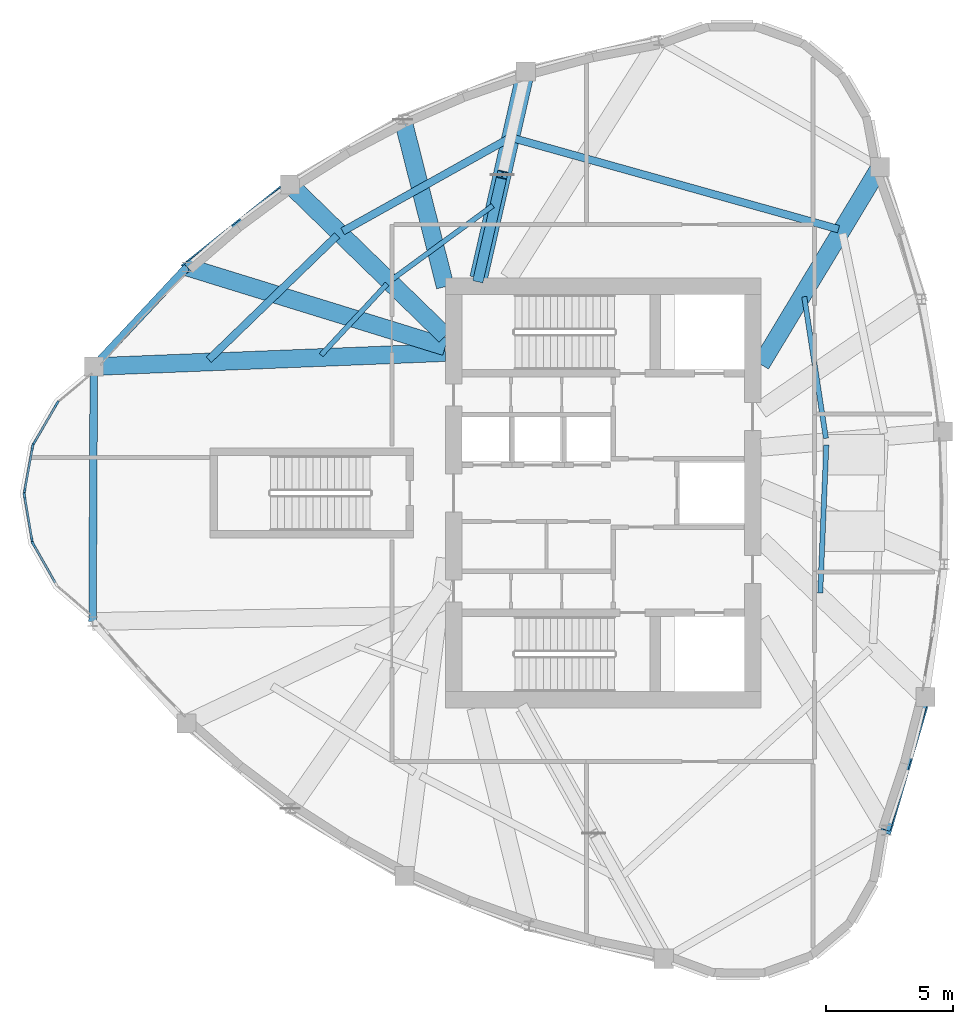
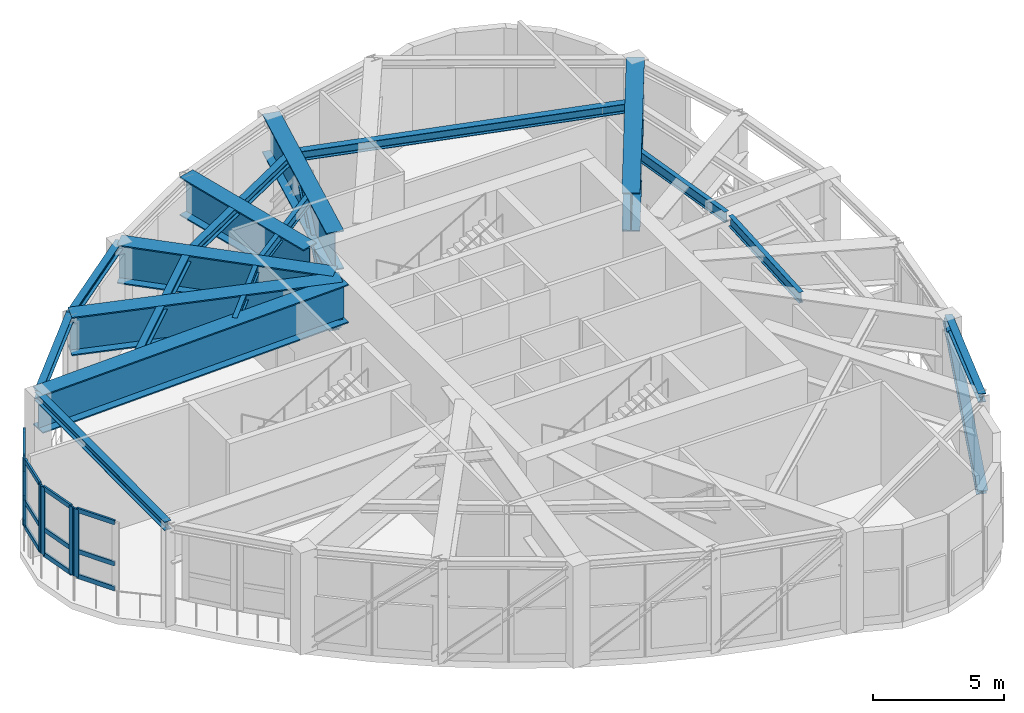
# One storey, part 2 of 10: 22 members, 17 beams, 4 elements without a shape of their own.
"""IFC4 building model written with IfcOpenShell, lengths in metres."""

from ifc_helpers import new_model, si_unit, direction, frame, origin, origin_2d, place, context, subcontext, project, spatial, rectangle, i_section, extrude, source, transform, mapped, material, layer, layer_set, material_profile, profile_set, type_object, element, aggregate, save


model = new_model("IFC4")

# Units and contexts
model_context = context("Model", 3, precision=1e-05, world=origin(), true_north=direction((0.0, 1.0)))
body_context = subcontext(model_context, "Body", "Model", "MODEL_VIEW")
ifc_project = project(units=[si_unit("LENGTHUNIT", "METRE"), si_unit("AREAUNIT", "SQUARE_METRE"), si_unit("VOLUMEUNIT", "CUBIC_METRE"), si_unit("PLANEANGLEUNIT", "RADIAN"), si_unit("MASSUNIT", "GRAM", prefix="KILO")], contexts=[model_context])

# Site, building, storey
site_placement = place(None, origin())
site = spatial("IfcSite", under=ifc_project, at=site_placement, CompositionType="ELEMENT")
building_placement = place(site_placement, origin())
building = spatial("IfcBuilding", under=site, at=building_placement, Name="Qafzar Sky-Pleat Residences", CompositionType="ELEMENT")
storey_placement = place(building_placement, frame((0.0, 0.0, 190.60009765625)))
storey = spatial("IfcBuildingStorey", under=building, at=storey_placement, Name="L57", CompositionType="ELEMENT", Elevation=190.60009765625)

# Beams
ifc_material_1 = material(Name="Steel S355", Category="steel")
ifc_material_profile_1 = material_profile(ifc_material_1, i_section(OverallWidth=0.300048828125, OverallDepth=0.39990234375, WebThickness=0.013427734375, FlangeThickness=0.02392578125, FilletRadius=0.027099609375, at=origin_2d()), Name="HEB 400")
ifc_profile_set_1 = profile_set([ifc_material_profile_1], Name="Steel S355")
beam_type_1 = type_object("IfcBeamType", Name="BM-SPAN-HEB400", PredefinedType="SPANDREL", material=ifc_profile_set_1)
shared_shape_1 = source(origin(), body_context, "Body", "SweptSolid", [
    extrude(i_section(OverallWidth=0.300048828125, OverallDepth=0.39990234375, WebThickness=0.013427734375, FlangeThickness=0.02392578125, FilletRadius=0.027099609375, at=origin_2d()), origin(), (0.0, 0.0, 1.0), 10.017333984375),
])
beam_1_placement = place(storey_placement, frame((10.338134765625, 30.967041015625, 4.557861328125), z_axis=(-0.004874305381, -0.999988120503, 0.0), x_axis=(0.999988120503, -0.004874305381, 0.0)))
element("IfcBeam", 1, at=beam_1_placement, inside=storey, type_object=beam_type_1, Name="L57 Perimeter Spandrel Beam 1", PredefinedType="SPANDREL", context=body_context, shape_type="MappedRepresentation", body=[
    mapped(shared_shape_1, transform((0.0, 0.0, 0.0), x_axis=(1.0, 0.0, 0.0), y_axis=(0.0, 1.0, 0.0), z_axis=(0.0, 0.0, 1.0), scale=1.0)),
])
shared_shape_2 = source(origin(), body_context, "Body", "SweptSolid", [
    extrude(i_section(OverallWidth=0.300048828125, OverallDepth=0.39990234375, WebThickness=0.013427734375, FlangeThickness=0.02392578125, FilletRadius=0.027099609375, at=origin_2d()), origin(), (0.0, 0.0, 1.0), 5.448486328125),
])
beam_2_placement = place(storey_placement, frame((41.482666015625, 12.749267578125, 4.557861328125), z_axis=(0.281537931885, 0.959550099218, 0.0), x_axis=(-0.959550099218, 0.281537931885, 0.0)))
element("IfcBeam", 2, at=beam_2_placement, inside=storey, type_object=beam_type_1, Name="L57 Perimeter Spandrel Beam 8", PredefinedType="SPANDREL", context=body_context, shape_type="MappedRepresentation", body=[
    mapped(shared_shape_2, transform((0.0, 0.0, 0.0), x_axis=(1.0, 0.0, 0.0), y_axis=(0.0, 1.0, 0.0), z_axis=(0.0, 0.0, 1.0), scale=1.0)),
])
shared_shape_3 = source(origin(), body_context, "Body", "SweptSolid", [
    extrude(i_section(OverallWidth=0.300048828125, OverallDepth=0.39990234375, WebThickness=0.013427734375, FlangeThickness=0.02392578125, FilletRadius=0.027099609375, at=origin_2d()), origin(), (0.0, 0.0, 1.0), 5.183837890625),
])
beam_3_placement = place(storey_placement, frame((18.046142578125, 38.11572265625, 4.557861328125), z_axis=(-0.78105716206, -0.624459533994, 0.0), x_axis=(0.624459533994, -0.78105716206, 0.0)))
element("IfcBeam", 3, at=beam_3_placement, inside=storey, type_object=beam_type_1, Name="L57 Perimeter Spandrel Beam 17", PredefinedType="SPANDREL", context=body_context, shape_type="MappedRepresentation", body=[
    mapped(shared_shape_3, transform((0.0, 0.0, 0.0), x_axis=(1.0, 0.0, 0.0), y_axis=(0.0, 1.0, 0.0), z_axis=(0.0, 0.0, 1.0), scale=1.0)),
])
shared_shape_4 = source(origin(), body_context, "Body", "SweptSolid", [
    extrude(i_section(OverallWidth=0.300048828125, OverallDepth=0.39990234375, WebThickness=0.013427734375, FlangeThickness=0.02392578125, FilletRadius=0.027099609375, at=origin_2d()), origin(), (0.0, 0.0, 1.0), 5.3564453125),
])
beam_4_placement = place(storey_placement, frame((13.997314453125, 34.878662109375, 4.557861328125), z_axis=(-0.683149287603, -0.730278748731, 0.0), x_axis=(0.730278748731, -0.683149287603, 0.0)))
element("IfcBeam", 4, at=beam_4_placement, inside=storey, type_object=beam_type_1, Name="L57 Perimeter Spandrel Beam 18", PredefinedType="SPANDREL", context=body_context, shape_type="MappedRepresentation", body=[
    mapped(shared_shape_4, transform((0.0, 0.0, 0.0), x_axis=(1.0, 0.0, 0.0), y_axis=(0.0, 1.0, 0.0), z_axis=(0.0, 0.0, 1.0), scale=1.0)),
])
ifc_material_2 = material(Name="Steel S460", Category="steel")
ifc_material_profile_2 = material_profile(ifc_material_2, i_section(OverallWidth=0.699951171875, OverallDepth=1.800048828125, WebThickness=0.035888671875, FlangeThickness=0.054931640625, at=origin_2d()), Name="PG 1800x700x55")
ifc_profile_set_2 = profile_set([ifc_material_profile_2], Name="Steel S460")
beam_type_2 = type_object("IfcBeamType", Name="BM-XFER-PG1800", PredefinedType="BEAM", material=ifc_profile_set_2)
shared_shape_5 = source(origin(), body_context, "Body", "SweptSolid", [
    extrude(i_section(OverallWidth=0.699951171875, OverallDepth=1.800048828125, WebThickness=0.035888671875, FlangeThickness=0.054931640625, at=origin_2d()), origin(), (0.0, 0.0, 1.0), 13.82275390625),
])
beam_5_placement = place(storey_placement, frame((10.338134765625, 30.967041015625, 3.85791015625), z_axis=(0.999206535424, 0.039828376388, 0.0), x_axis=(-0.039828376388, 0.999206535424, 0.0)))
element("IfcBeam", 5, at=beam_5_placement, inside=storey, type_object=beam_type_2, Name="L58 Setback Transfer Girder 1", PredefinedType="BEAM", context=body_context, shape_type="MappedRepresentation", body=[
    mapped(shared_shape_5, transform((0.0, 0.0, 0.0), x_axis=(1.0, 0.0, 0.0), y_axis=(0.0, 1.0, 0.0), z_axis=(0.0, 0.0, 1.0), scale=1.0)),
])
shared_shape_6 = source(origin(), body_context, "Body", "SweptSolid", [
    extrude(i_section(OverallWidth=0.699951171875, OverallDepth=1.800048828125, WebThickness=0.035888671875, FlangeThickness=0.054931640625, at=origin_2d()), origin(), (0.0, 0.0, 1.0), 9.062255859375),
])
beam_6_placement = place(storey_placement, frame((41.22900390625, 38.8125, 3.85791015625), z_axis=(-0.516309105864, -0.856402304529, 0.0), x_axis=(0.856402304529, -0.516309105864, 0.0)))
element("IfcBeam", 6, at=beam_6_placement, inside=storey, type_object=beam_type_2, Name="L58 Setback Transfer Girder 13", PredefinedType="BEAM", context=body_context, shape_type="MappedRepresentation", body=[
    mapped(shared_shape_6, transform((0.0, 0.0, 0.0), x_axis=(1.0, 0.0, 0.0), y_axis=(0.0, 1.0, 0.0), z_axis=(0.0, 0.0, 1.0), scale=1.0)),
])
shared_shape_7 = source(origin(), body_context, "Body", "SweptSolid", [
    extrude(i_section(OverallWidth=0.699951171875, OverallDepth=1.800048828125, WebThickness=0.035888671875, FlangeThickness=0.054931640625, at=origin_2d()), origin(), (0.0, 0.0, 1.0), 8.324462890625),
])
beam_7_placement = place(storey_placement, frame((27.312255859375, 42.56591796875, 3.85791015625), z_axis=(-0.222395551027, -0.974956521535, 0.0), x_axis=(0.974956521535, -0.222395551027, 0.0)))
element("IfcBeam", 7, at=beam_7_placement, inside=storey, type_object=beam_type_2, Name="L58 Setback Transfer Girder 15", PredefinedType="BEAM", context=body_context, shape_type="MappedRepresentation", body=[
    mapped(shared_shape_7, transform((0.0, 0.0, 0.0), x_axis=(1.0, 0.0, 0.0), y_axis=(0.0, 1.0, 0.0), z_axis=(0.0, 0.0, 1.0), scale=1.0)),
])
shared_shape_8 = source(origin(), body_context, "Body", "SweptSolid", [
    extrude(i_section(OverallWidth=0.699951171875, OverallDepth=1.800048828125, WebThickness=0.035888671875, FlangeThickness=0.054931640625, at=origin_2d()), origin(), (0.0, 0.0, 1.0), 6.779541015625),
])
beam_8_placement = place(storey_placement, frame((22.484375, 40.677978515625, 3.85791015625), z_axis=(0.245669464822, -0.969353657884, 0.0), x_axis=(0.969353657884, 0.245669464822, 0.0)))
element("IfcBeam", 8, at=beam_8_placement, inside=storey, type_object=beam_type_2, Name="L58 Setback Transfer Girder 16", PredefinedType="BEAM", context=body_context, shape_type="MappedRepresentation", body=[
    mapped(shared_shape_8, transform((0.0, 0.0, 0.0), x_axis=(1.0, 0.0, 0.0), y_axis=(0.0, 1.0, 0.0), z_axis=(0.0, 0.0, 1.0), scale=1.0)),
])
shared_shape_9 = source(origin(), body_context, "Body", "SweptSolid", [
    extrude(i_section(OverallWidth=0.699951171875, OverallDepth=1.800048828125, WebThickness=0.035888671875, FlangeThickness=0.054931640625, at=origin_2d()), origin(), (0.0, 0.0, 1.0), 8.517578125),
])
beam_9_placement = place(storey_placement, frame((18.046142578125, 38.11572265625, 3.85791015625), z_axis=(0.716615570241, -0.697468368092, 0.0), x_axis=(0.697468368092, 0.716615570241, 0.0)))
element("IfcBeam", 9, at=beam_9_placement, inside=storey, type_object=beam_type_2, Name="L58 Setback Transfer Girder 17", PredefinedType="BEAM", context=body_context, shape_type="MappedRepresentation", body=[
    mapped(shared_shape_9, transform((0.0, 0.0, 0.0), x_axis=(1.0, 0.0, 0.0), y_axis=(0.0, 1.0, 0.0), z_axis=(0.0, 0.0, 1.0), scale=1.0)),
])
shared_shape_10 = source(origin(), body_context, "Body", "SweptSolid", [
    extrude(i_section(OverallWidth=0.699951171875, OverallDepth=1.800048828125, WebThickness=0.035888671875, FlangeThickness=0.054931640625, at=origin_2d()), origin(), (0.0, 0.0, 1.0), 10.62548828125),
])
beam_10_placement = place(storey_placement, frame((13.997314453125, 34.878662109375, 3.85791015625), z_axis=(0.95549040841, -0.295022167704, 0.0), x_axis=(0.295022167704, 0.95549040841, 0.0)))
element("IfcBeam", 10, at=beam_10_placement, inside=storey, type_object=beam_type_2, Name="L58 Setback Transfer Girder 18", PredefinedType="BEAM", context=body_context, shape_type="MappedRepresentation", body=[
    mapped(shared_shape_10, transform((0.0, 0.0, 0.0), x_axis=(1.0, 0.0, 0.0), y_axis=(0.0, 1.0, 0.0), z_axis=(0.0, 0.0, 1.0), scale=1.0)),
])
ifc_material_profile_3 = material_profile(ifc_material_1, i_section(OverallWidth=0.300048828125, OverallDepth=0.43994140625, WebThickness=0.011474609375, FlangeThickness=0.02099609375, FilletRadius=0.027099609375, at=origin_2d()), Name="HEA 450")
ifc_profile_set_3 = profile_set([ifc_material_profile_3], Name="Steel S355")
beam_type_3 = type_object("IfcBeamType", Name="BM-PLT-HEA450", PredefinedType="BEAM", material=ifc_profile_set_3)
shared_shape_11 = source(origin(), body_context, "Body", "SweptSolid", [
    extrude(i_section(OverallWidth=0.300048828125, OverallDepth=0.43994140625, WebThickness=0.011474609375, FlangeThickness=0.02099609375, FilletRadius=0.027099609375, at=origin_2d()), origin(), (0.0, 0.0, 1.0), 13.241455078125),
])
beam_11_placement = place(storey_placement, frame((39.601806640625, 36.365478515625, 4.537841796875), z_axis=(-0.963035602632, 0.269374141416, 0.0), x_axis=(-0.269374141416, -0.963035602632, 0.0)))
element("IfcBeam", 11, at=beam_11_placement, inside=storey, type_object=beam_type_3, Name="L57 Outer Secondary Floor Joist 7", PredefinedType="BEAM", context=body_context, shape_type="MappedRepresentation", body=[
    mapped(shared_shape_11, transform((0.0, 0.0, 0.0), x_axis=(1.0, 0.0, 0.0), y_axis=(0.0, 1.0, 0.0), z_axis=(0.0, 0.0, 1.0), scale=1.0)),
])
shared_shape_12 = source(origin(), body_context, "Body", "SweptSolid", [
    extrude(i_section(OverallWidth=0.300048828125, OverallDepth=0.43994140625, WebThickness=0.011474609375, FlangeThickness=0.02099609375, FilletRadius=0.027099609375, at=origin_2d()), origin(), (0.0, 0.0, 1.0), 7.427978515625),
])
beam_12_placement = place(storey_placement, frame((26.60205078125, 39.903076171875, 4.537841796875), z_axis=(-0.873020038873, -0.487684336149, 0.0), x_axis=(0.487684336149, -0.873020038873, 0.0)))
element("IfcBeam", 12, at=beam_12_placement, inside=storey, type_object=beam_type_3, Name="L57 Outer Secondary Floor Joist 8", PredefinedType="BEAM", context=body_context, shape_type="MappedRepresentation", body=[
    mapped(shared_shape_12, transform((0.0, 0.0, 0.0), x_axis=(1.0, 0.0, 0.0), y_axis=(0.0, 1.0, 0.0), z_axis=(0.0, 0.0, 1.0), scale=1.0)),
])
shared_shape_13 = source(origin(), body_context, "Body", "SweptSolid", [
    extrude(i_section(OverallWidth=0.300048828125, OverallDepth=0.43994140625, WebThickness=0.011474609375, FlangeThickness=0.02099609375, FilletRadius=0.027099609375, at=origin_2d()), origin(), (0.0, 0.0, 1.0), 7.0234375),
])
beam_13_placement = place(storey_placement, frame((19.90234375, 36.120849609375, 4.537841796875), z_axis=(-0.718655934704, -0.695365837178, 0.0), x_axis=(0.695365837178, -0.718655934704, 0.0)))
element("IfcBeam", 13, at=beam_13_placement, inside=storey, type_object=beam_type_3, Name="L57 Outer Secondary Floor Joist 9", PredefinedType="BEAM", context=body_context, shape_type="MappedRepresentation", body=[
    mapped(shared_shape_13, transform((0.0, 0.0, 0.0), x_axis=(1.0, 0.0, 0.0), y_axis=(0.0, 1.0, 0.0), z_axis=(0.0, 0.0, 1.0), scale=1.0)),
])
ifc_material_profile_4 = material_profile(ifc_material_1, i_section(OverallWidth=0.199951171875, OverallDepth=0.5, WebThickness=0.01025390625, FlangeThickness=0.01611328125, FilletRadius=0.02099609375, at=origin_2d()), Name="IPE 500")
ifc_profile_set_4 = profile_set([ifc_material_profile_4], Name="Steel S355")
beam_type_4 = type_object("IfcBeamType", Name="BM-SEC-IPE500", PredefinedType="BEAM", material=ifc_profile_set_4)
shared_shape_14 = source(origin(), body_context, "Body", "SweptSolid", [
    extrude(i_section(OverallWidth=0.199951171875, OverallDepth=0.5, WebThickness=0.01025390625, FlangeThickness=0.01611328125, FilletRadius=0.02099609375, at=origin_2d()), origin(), (0.0, 0.0, 1.0), 5.814208984375),
])
beam_14_placement = place(storey_placement, frame((38.883544921875, 22.07080078125, 4.5078125), z_axis=(0.040856800042, 0.999165012343, 0.0), x_axis=(-0.999165012343, 0.040856800042, 0.0)))
element("IfcBeam", 14, at=beam_14_placement, inside=storey, type_object=beam_type_4, Name="L57 Inner Secondary Floor Joist 5", PredefinedType="BEAM", context=body_context, shape_type="MappedRepresentation", body=[
    mapped(shared_shape_14, transform((0.0, 0.0, 0.0), x_axis=(1.0, 0.0, 0.0), y_axis=(0.0, 1.0, 0.0), z_axis=(0.0, 0.0, 1.0), scale=1.0)),
])
shared_shape_15 = source(origin(), body_context, "Body", "SweptSolid", [
    extrude(i_section(OverallWidth=0.199951171875, OverallDepth=0.5, WebThickness=0.01025390625, FlangeThickness=0.01611328125, FilletRadius=0.02099609375, at=origin_2d()), origin(), (0.0, 0.0, 1.0), 5.62841796875),
])
beam_15_placement = place(storey_placement, frame((39.106201171875, 28.1484375, 4.5078125), z_axis=(-0.151252045515, 0.988495229492, 0.0), x_axis=(-0.988495229492, -0.151252045515, 0.0)))
element("IfcBeam", 15, at=beam_15_placement, inside=storey, type_object=beam_type_4, Name="L57 Inner Secondary Floor Joist 6", PredefinedType="BEAM", context=body_context, shape_type="MappedRepresentation", body=[
    mapped(shared_shape_15, transform((0.0, 0.0, 0.0), x_axis=(1.0, 0.0, 0.0), y_axis=(0.0, 1.0, 0.0), z_axis=(0.0, 0.0, 1.0), scale=1.0)),
])
shared_shape_16 = source(origin(), body_context, "Body", "SweptSolid", [
    extrude(i_section(OverallWidth=0.199951171875, OverallDepth=0.5, WebThickness=0.01025390625, FlangeThickness=0.01611328125, FilletRadius=0.02099609375, at=origin_2d()), origin(), (0.0, 0.0, 1.0), 4.905029296875),
])
beam_16_placement = place(storey_placement, frame((26.0185546875, 37.2919921875, 4.5078125), z_axis=(-0.8067340111, -0.590914744557, 0.0), x_axis=(0.590914744557, -0.8067340111, 0.0)))
element("IfcBeam", 16, at=beam_16_placement, inside=storey, type_object=beam_type_4, Name="L57 Inner Secondary Floor Joist 8", PredefinedType="BEAM", context=body_context, shape_type="MappedRepresentation", body=[
    mapped(shared_shape_16, transform((0.0, 0.0, 0.0), x_axis=(1.0, 0.0, 0.0), y_axis=(0.0, 1.0, 0.0), z_axis=(0.0, 0.0, 1.0), scale=1.0)),
])
shared_shape_17 = source(origin(), body_context, "Body", "SweptSolid", [
    extrude(i_section(OverallWidth=0.199951171875, OverallDepth=0.5, WebThickness=0.01025390625, FlangeThickness=0.01611328125, FilletRadius=0.02099609375, at=origin_2d()), origin(), (0.0, 0.0, 1.0), 3.812255859375),
])
beam_17_placement = place(storey_placement, frame((21.86083984375, 34.214599609375, 4.5078125), z_axis=(-0.679731055735, -0.733461445387, 0.0), x_axis=(0.733461445387, -0.679731055735, 0.0)))
element("IfcBeam", 17, at=beam_17_placement, inside=storey, type_object=beam_type_4, Name="L57 Inner Secondary Floor Joist 9", PredefinedType="BEAM", context=body_context, shape_type="MappedRepresentation", body=[
    mapped(shared_shape_17, transform((0.0, 0.0, 0.0), x_axis=(1.0, 0.0, 0.0), y_axis=(0.0, 1.0, 0.0), z_axis=(0.0, 0.0, 1.0), scale=1.0)),
])

# Members
ifc_material_profile_5 = material_profile(ifc_material_2, i_section(OverallWidth=0.406005859375, OverallDepth=0.416015625, WebThickness=0.027099609375, FlangeThickness=0.0439453125, FilletRadius=0.014892578125, at=origin_2d()), Name="HD 400x382")
ifc_profile_set_5 = profile_set([ifc_material_profile_5], Name="Steel S460")
member_type_1 = type_object("IfcMemberType", Name="MEM-BELT-HD382", PredefinedType="BRACE", material=ifc_profile_set_5)
shared_shape_18 = source(origin(), body_context, "Body", "SweptSolid", [
    extrude(i_section(OverallWidth=0.406005859375, OverallDepth=0.416015625, WebThickness=0.027099609375, FlangeThickness=0.0439453125, FilletRadius=0.014892578125, at=origin_2d()), origin(), (0.0, 0.0, 1.0), 7.009521484375),
])
member_1_placement = place(storey_placement, frame((41.482666015625, 12.749267578125, 0.14990234375), z_axis=(0.218837853443, 0.74585290365, 0.629137059803), x_axis=(-0.959550099218, 0.281537931885, 0.0)))
element("IfcMember", 18, at=member_1_placement, inside=storey, type_object=member_type_1, Name="L57 Belt Truss Diagonal 8", PredefinedType="BRACE", context=body_context, shape_type="MappedRepresentation", body=[
    mapped(shared_shape_18, transform((0.0, 0.0, 0.0), x_axis=(1.0, 0.0, 0.0), y_axis=(0.0, 1.0, 0.0), z_axis=(0.0, 0.0, 1.0), scale=1.0)),
])
shared_shape_19 = source(origin(), body_context, "Body", "SweptSolid", [
    extrude(i_section(OverallWidth=0.406005859375, OverallDepth=0.416015625, WebThickness=0.027099609375, FlangeThickness=0.0439453125, FilletRadius=0.014892578125, at=origin_2d()), origin(), (0.0, 0.0, 1.0), 6.805908203125),
])
member_2_placement = place(storey_placement, frame((18.046142578125, 38.11572265625, 0.14990234375), z_axis=(-0.594908598615, -0.475632724857, 0.64796394216), x_axis=(0.624459533994, -0.78105716206, 0.0)))
element("IfcMember", 19, at=member_2_placement, inside=storey, type_object=member_type_1, Name="L57 Belt Truss Diagonal 17", PredefinedType="BRACE", context=body_context, shape_type="MappedRepresentation", body=[
    mapped(shared_shape_19, transform((0.0, 0.0, 0.0), x_axis=(1.0, 0.0, 0.0), y_axis=(0.0, 1.0, 0.0), z_axis=(0.0, 0.0, 1.0), scale=1.0)),
])
ifc_material_profile_6 = material_profile(ifc_material_2, i_section(OverallWidth=0.408935546875, OverallDepth=0.425048828125, WebThickness=0.030029296875, FlangeThickness=0.048095703125, FilletRadius=0.014892578125, at=origin_2d()), Name="HD 400x421")
ifc_profile_set_6 = profile_set([ifc_material_profile_6], Name="Steel S460")
member_type_2 = type_object("IfcMemberType", Name="MEM-OUT-HD421", PredefinedType="BRACE", material=ifc_profile_set_6)
shared_shape_20 = source(origin(), body_context, "Body", "SweptSolid", [
    extrude(i_section(OverallWidth=0.408935546875, OverallDepth=0.425048828125, WebThickness=0.030029296875, FlangeThickness=0.048095703125, FilletRadius=0.014892578125, at=origin_2d()), origin(), (0.0, 0.0, 1.0), 5.99169921875),
])
member_3_placement = place(storey_placement, frame((25.4609375, 34.449951171875, 0.199951171875), z_axis=(0.154507543734, 0.677274364965, 0.719323886361), x_axis=(-0.974951612924, 0.222417068717, 0.0)))
element("IfcMember", 20, at=member_3_placement, inside=storey, type_object=member_type_2, Name="L57 Outrigger Truss Diagonal 8A", PredefinedType="BRACE", context=body_context, shape_type="MappedRepresentation", body=[
    mapped(shared_shape_20, transform((0.0, 0.0, 0.0), x_axis=(1.0, 0.0, 0.0), y_axis=(0.0, 1.0, 0.0), z_axis=(0.0, 0.0, 1.0), scale=1.0)),
])

# Curtain wall, members
ifc_material_3 = material(Name="Anodised bronze aluminium framing", Category="aluminium")
ifc_layer = layer(ifc_material_3, 0.280029296875)
ifc_layer_set = layer_set([ifc_layer], Name="Anodised bronze aluminium framing")
curtain_wall_type = type_object("IfcCurtainWallType", Name="CW-SYS-05", PredefinedType="NOTDEFINED", material=ifc_layer_set)
curtain_wall_1_placement = place(storey_placement, origin())
curtain_wall_1 = element("IfcCurtainWall", 21, at=curtain_wall_1_placement, inside=storey, type_object=curtain_wall_type, Name="L57 CW-05 Curtain Wall CW-L57-SLOT-01", PredefinedType="NOTDEFINED")
ifc_material_4 = material(Name="Anodised bronze aluminium", Category="aluminium")
ifc_material_profile_7 = material_profile(ifc_material_4, rectangle(XDim=0.0849609375, YDim=0.280029296875, at=origin_2d()), Name="ALU MULLION 85x280")
ifc_profile_set_7 = profile_set([ifc_material_profile_7], Name="Anodised bronze aluminium")
member_type_3 = type_object("IfcMemberType", Name="CWM-05", PredefinedType="MULLION", material=ifc_profile_set_7)
shared_shape_21 = source(origin(), body_context, "Body", "SweptSolid", [
    extrude(rectangle(XDim=0.0849609375, YDim=0.280029296875, at=origin_2d()), origin(), (0.0, 0.0, 1.0), 3.159912109375),
])
member_4_placement = place(storey_placement, frame((8.8779296875, 29.4931640625, 1.179931640625), z_axis=(0.0, 0.0, 1.0), x_axis=(0.864807167191, -0.502104136186, 0.0)))
member_4 = element("IfcMember", 22, at=member_4_placement, type_object=member_type_3, Name="CW-05 mullion 1", PredefinedType="MULLION", context=body_context, shape_type="MappedRepresentation", body=[
    mapped(shared_shape_21, transform((0.0, 0.0, 0.0), x_axis=(1.0, 0.0, 0.0), y_axis=(0.0, 1.0, 0.0), z_axis=(0.0, 0.0, 1.0), scale=1.0)),
])
member_5_placement = place(storey_placement, frame((7.994140625, 27.970947265625, 1.179931640625), z_axis=(0.0, 0.0, 1.0), x_axis=(0.864807167191, -0.502104136186, 0.0)))
member_5 = element("IfcMember", 23, at=member_5_placement, type_object=member_type_3, Name="CW-05 mullion 2", PredefinedType="MULLION", context=body_context, shape_type="MappedRepresentation", body=[
    mapped(shared_shape_21, transform((0.0, 0.0, 0.0), x_axis=(1.0, 0.0, 0.0), y_axis=(0.0, 1.0, 0.0), z_axis=(0.0, 0.0, 1.0), scale=1.0)),
])

curtain_wall_2_placement = place(storey_placement, origin())
curtain_wall_2 = element("IfcCurtainWall", 24, at=curtain_wall_2_placement, inside=storey, type_object=curtain_wall_type, Name="L57 CW-05 Curtain Wall CW-L57-SLOT-02", PredefinedType="NOTDEFINED")
member_6_placement = place(storey_placement, frame((7.929931640625, 27.79638671875, 1.179931640625), z_axis=(0.0, 0.0, 1.0), x_axis=(0.984098916363, -0.177621290429, 0.0)))
member_6 = element("IfcMember", 25, at=member_6_placement, type_object=member_type_3, Name="CW-05 mullion 1", PredefinedType="MULLION", context=body_context, shape_type="MappedRepresentation", body=[
    mapped(shared_shape_21, transform((0.0, 0.0, 0.0), x_axis=(1.0, 0.0, 0.0), y_axis=(0.0, 1.0, 0.0), z_axis=(0.0, 0.0, 1.0), scale=1.0)),
])
member_7_placement = place(storey_placement, frame((7.617431640625, 26.064453125, 1.179931640625), z_axis=(0.0, 0.0, 1.0), x_axis=(0.984098916363, -0.177621290429, 0.0)))
member_7 = element("IfcMember", 26, at=member_7_placement, type_object=member_type_3, Name="CW-05 mullion 2", PredefinedType="MULLION", context=body_context, shape_type="MappedRepresentation", body=[
    mapped(shared_shape_21, transform((0.0, 0.0, 0.0), x_axis=(1.0, 0.0, 0.0), y_axis=(0.0, 1.0, 0.0), z_axis=(0.0, 0.0, 1.0), scale=1.0)),
])

curtain_wall_3_placement = place(storey_placement, origin())
curtain_wall_3 = element("IfcCurtainWall", 27, at=curtain_wall_3_placement, inside=storey, type_object=curtain_wall_type, Name="L57 CW-05 Curtain Wall CW-L57-SLOT-03", PredefinedType="NOTDEFINED")
member_8_placement = place(storey_placement, frame((7.616455078125, 25.87841796875, 1.179931640625), z_axis=(0.0, 0.0, 1.0), x_axis=(0.985774777917, 0.168071672873, 0.0)))
member_8 = element("IfcMember", 28, at=member_8_placement, type_object=member_type_3, Name="CW-05 mullion 1", PredefinedType="MULLION", context=body_context, shape_type="MappedRepresentation", body=[
    mapped(shared_shape_21, transform((0.0, 0.0, 0.0), x_axis=(1.0, 0.0, 0.0), y_axis=(0.0, 1.0, 0.0), z_axis=(0.0, 0.0, 1.0), scale=1.0)),
])
member_9_placement = place(storey_placement, frame((7.912353515625, 24.143310546875, 1.179931640625), z_axis=(0.0, 0.0, 1.0), x_axis=(0.985774777917, 0.168071672873, 0.0)))
member_9 = element("IfcMember", 29, at=member_9_placement, type_object=member_type_3, Name="CW-05 mullion 2", PredefinedType="MULLION", context=body_context, shape_type="MappedRepresentation", body=[
    mapped(shared_shape_21, transform((0.0, 0.0, 0.0), x_axis=(1.0, 0.0, 0.0), y_axis=(0.0, 1.0, 0.0), z_axis=(0.0, 0.0, 1.0), scale=1.0)),
])

# Curtain wall, member
curtain_wall_4_placement = place(storey_placement, origin())
curtain_wall_4 = element("IfcCurtainWall", 30, at=curtain_wall_4_placement, inside=storey, type_object=curtain_wall_type, Name="L57 CW-05 Curtain Wall CW-L57-SLOT-04", PredefinedType="NOTDEFINED")
member_10_placement = place(storey_placement, frame((7.974853515625, 23.96826171875, 1.179931640625), z_axis=(0.0, 0.0, 1.0), x_axis=(0.869630572407, 0.493703015522, 0.0)))
member_10 = element("IfcMember", 31, at=member_10_placement, type_object=member_type_3, Name="CW-05 mullion 1", PredefinedType="MULLION", context=body_context, shape_type="MappedRepresentation", body=[
    mapped(shared_shape_21, transform((0.0, 0.0, 0.0), x_axis=(1.0, 0.0, 0.0), y_axis=(0.0, 1.0, 0.0), z_axis=(0.0, 0.0, 1.0), scale=1.0)),
])

# Member
ifc_material_profile_8 = material_profile(ifc_material_4, rectangle(XDim=0.0849609375, YDim=0.2099609375, at=origin_2d()), Name="ALU TRANSOM 85x210")
ifc_profile_set_8 = profile_set([ifc_material_profile_8], Name="Anodised bronze aluminium")
member_type_4 = type_object("IfcMemberType", Name="CWT-05", PredefinedType="USERDEFINED", material=ifc_profile_set_8)
shared_shape_22 = source(origin(), body_context, "Body", "SweptSolid", [
    extrude(rectangle(XDim=0.0849609375, YDim=0.2099609375, at=origin_2d()), origin(), (0.0, 0.0, 1.0), 1.675048828125),
])
member_11_placement = place(storey_placement, frame((8.856689453125, 29.456298828125, 1.222412109375), z_axis=(-0.502139033742, -0.864786904846, 0.0), x_axis=(0.864786904846, -0.502139033742, 0.0)))
member_11 = element("IfcMember", 32, at=member_11_placement, type_object=member_type_4, Name="CW-05 transom 1.1", ObjectType="TRANSOM", PredefinedType="USERDEFINED", context=body_context, shape_type="MappedRepresentation", body=[
    mapped(shared_shape_22, transform((0.0, 0.0, 0.0), x_axis=(1.0, 0.0, 0.0), y_axis=(0.0, 1.0, 0.0), z_axis=(0.0, 0.0, 1.0), scale=1.0)),
])

member_12_placement = place(storey_placement, frame((8.856689453125, 29.456298828125, 2.380615234375), z_axis=(-0.502139033742, -0.864786904846, 0.0), x_axis=(0.864786904846, -0.502139033742, 0.0)))
member_12 = element("IfcMember", 33, at=member_12_placement, type_object=member_type_4, Name="CW-05 transom 1.2", ObjectType="TRANSOM", PredefinedType="USERDEFINED", context=body_context, shape_type="MappedRepresentation", body=[
    mapped(shared_shape_22, transform((0.0, 0.0, 0.0), x_axis=(1.0, 0.0, 0.0), y_axis=(0.0, 1.0, 0.0), z_axis=(0.0, 0.0, 1.0), scale=1.0)),
])

member_13_placement = place(storey_placement, frame((8.856689453125, 29.456298828125, 4.29736328125), z_axis=(-0.502139033742, -0.864786904846, 0.0), x_axis=(0.864786904846, -0.502139033742, 0.0)))
member_13 = element("IfcMember", 34, at=member_13_placement, type_object=member_type_4, Name="CW-05 transom 1.3", ObjectType="TRANSOM", PredefinedType="USERDEFINED", context=body_context, shape_type="MappedRepresentation", body=[
    mapped(shared_shape_22, transform((0.0, 0.0, 0.0), x_axis=(1.0, 0.0, 0.0), y_axis=(0.0, 1.0, 0.0), z_axis=(0.0, 0.0, 1.0), scale=1.0)),
])

aggregate(curtain_wall_1, [member_4, member_5, member_11, member_12, member_13])

member_14_placement = place(storey_placement, frame((7.922607421875, 27.754638671875, 1.222412109375), z_axis=(-0.177666847498, -0.984090692619, 0.0), x_axis=(0.984090692619, -0.177666847498, 0.0)))
member_14 = element("IfcMember", 35, at=member_14_placement, type_object=member_type_4, Name="CW-05 transom 1.1", ObjectType="TRANSOM", PredefinedType="USERDEFINED", context=body_context, shape_type="MappedRepresentation", body=[
    mapped(shared_shape_22, transform((0.0, 0.0, 0.0), x_axis=(1.0, 0.0, 0.0), y_axis=(0.0, 1.0, 0.0), z_axis=(0.0, 0.0, 1.0), scale=1.0)),
])

member_15_placement = place(storey_placement, frame((7.922607421875, 27.754638671875, 2.380615234375), z_axis=(-0.177666847498, -0.984090692619, 0.0), x_axis=(0.984090692619, -0.177666847498, 0.0)))
member_15 = element("IfcMember", 36, at=member_15_placement, type_object=member_type_4, Name="CW-05 transom 1.2", ObjectType="TRANSOM", PredefinedType="USERDEFINED", context=body_context, shape_type="MappedRepresentation", body=[
    mapped(shared_shape_22, transform((0.0, 0.0, 0.0), x_axis=(1.0, 0.0, 0.0), y_axis=(0.0, 1.0, 0.0), z_axis=(0.0, 0.0, 1.0), scale=1.0)),
])

member_16_placement = place(storey_placement, frame((7.922607421875, 27.754638671875, 4.29736328125), z_axis=(-0.177666847498, -0.984090692619, 0.0), x_axis=(0.984090692619, -0.177666847498, 0.0)))
member_16 = element("IfcMember", 37, at=member_16_placement, type_object=member_type_4, Name="CW-05 transom 1.3", ObjectType="TRANSOM", PredefinedType="USERDEFINED", context=body_context, shape_type="MappedRepresentation", body=[
    mapped(shared_shape_22, transform((0.0, 0.0, 0.0), x_axis=(1.0, 0.0, 0.0), y_axis=(0.0, 1.0, 0.0), z_axis=(0.0, 0.0, 1.0), scale=1.0)),
])

aggregate(curtain_wall_2, [member_6, member_7, member_14, member_15, member_16])

member_17_placement = place(storey_placement, frame((7.623779296875, 25.83642578125, 1.222412109375), z_axis=(0.16806155664, -0.985776502651, 0.0), x_axis=(0.985776502651, 0.16806155664, 0.0)))
member_17 = element("IfcMember", 38, at=member_17_placement, type_object=member_type_4, Name="CW-05 transom 1.1", ObjectType="TRANSOM", PredefinedType="USERDEFINED", context=body_context, shape_type="MappedRepresentation", body=[
    mapped(shared_shape_22, transform((0.0, 0.0, 0.0), x_axis=(1.0, 0.0, 0.0), y_axis=(0.0, 1.0, 0.0), z_axis=(0.0, 0.0, 1.0), scale=1.0)),
])

member_18_placement = place(storey_placement, frame((7.623779296875, 25.83642578125, 2.380615234375), z_axis=(0.16806155664, -0.985776502651, 0.0), x_axis=(0.985776502651, 0.16806155664, 0.0)))
member_18 = element("IfcMember", 39, at=member_18_placement, type_object=member_type_4, Name="CW-05 transom 1.2", ObjectType="TRANSOM", PredefinedType="USERDEFINED", context=body_context, shape_type="MappedRepresentation", body=[
    mapped(shared_shape_22, transform((0.0, 0.0, 0.0), x_axis=(1.0, 0.0, 0.0), y_axis=(0.0, 1.0, 0.0), z_axis=(0.0, 0.0, 1.0), scale=1.0)),
])

member_19_placement = place(storey_placement, frame((7.623779296875, 25.83642578125, 4.29736328125), z_axis=(0.16806155664, -0.985776502651, 0.0), x_axis=(0.985776502651, 0.16806155664, 0.0)))
member_19 = element("IfcMember", 40, at=member_19_placement, type_object=member_type_4, Name="CW-05 transom 1.3", ObjectType="TRANSOM", PredefinedType="USERDEFINED", context=body_context, shape_type="MappedRepresentation", body=[
    mapped(shared_shape_22, transform((0.0, 0.0, 0.0), x_axis=(1.0, 0.0, 0.0), y_axis=(0.0, 1.0, 0.0), z_axis=(0.0, 0.0, 1.0), scale=1.0)),
])

aggregate(curtain_wall_3, [member_8, member_9, member_17, member_18, member_19])

shared_shape_23 = source(origin(), body_context, "Body", "SweptSolid", [
    extrude(rectangle(XDim=0.0849609375, YDim=0.2099609375, at=origin_2d()), origin(), (0.0, 0.0, 1.0), 1.6748046875),
])
member_20_placement = place(storey_placement, frame((7.995849609375, 23.93115234375, 1.222412109375), z_axis=(0.493703846839, -0.869630100455, 0.0), x_axis=(0.869630100455, 0.493703846839, 0.0)))
member_20 = element("IfcMember", 41, at=member_20_placement, type_object=member_type_4, Name="CW-05 transom 1.1", ObjectType="TRANSOM", PredefinedType="USERDEFINED", context=body_context, shape_type="MappedRepresentation", body=[
    mapped(shared_shape_23, transform((0.0, 0.0, 0.0), x_axis=(1.0, 0.0, 0.0), y_axis=(0.0, 1.0, 0.0), z_axis=(0.0, 0.0, 1.0), scale=1.0)),
])

member_21_placement = place(storey_placement, frame((7.995849609375, 23.93115234375, 2.380615234375), z_axis=(0.493703846839, -0.869630100455, 0.0), x_axis=(0.869630100455, 0.493703846839, 0.0)))
member_21 = element("IfcMember", 42, at=member_21_placement, type_object=member_type_4, Name="CW-05 transom 1.2", ObjectType="TRANSOM", PredefinedType="USERDEFINED", context=body_context, shape_type="MappedRepresentation", body=[
    mapped(shared_shape_23, transform((0.0, 0.0, 0.0), x_axis=(1.0, 0.0, 0.0), y_axis=(0.0, 1.0, 0.0), z_axis=(0.0, 0.0, 1.0), scale=1.0)),
])

member_22_placement = place(storey_placement, frame((7.995849609375, 23.93115234375, 4.29736328125), z_axis=(0.493703846839, -0.869630100455, 0.0), x_axis=(0.869630100455, 0.493703846839, 0.0)))
member_22 = element("IfcMember", 43, at=member_22_placement, type_object=member_type_4, Name="CW-05 transom 1.3", ObjectType="TRANSOM", PredefinedType="USERDEFINED", context=body_context, shape_type="MappedRepresentation", body=[
    mapped(shared_shape_23, transform((0.0, 0.0, 0.0), x_axis=(1.0, 0.0, 0.0), y_axis=(0.0, 1.0, 0.0), z_axis=(0.0, 0.0, 1.0), scale=1.0)),
])

aggregate(curtain_wall_4, [member_10, member_20, member_21, member_22])

save(model, "model.ifc")
